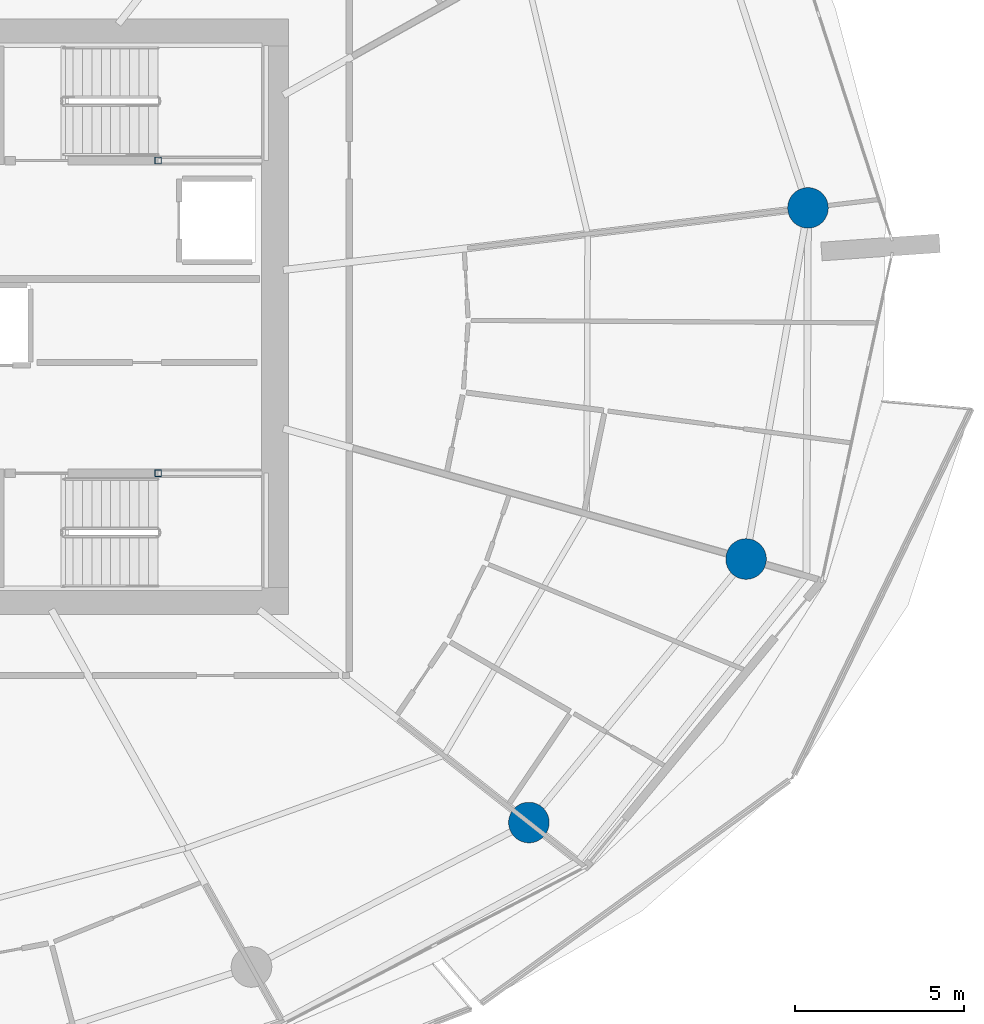
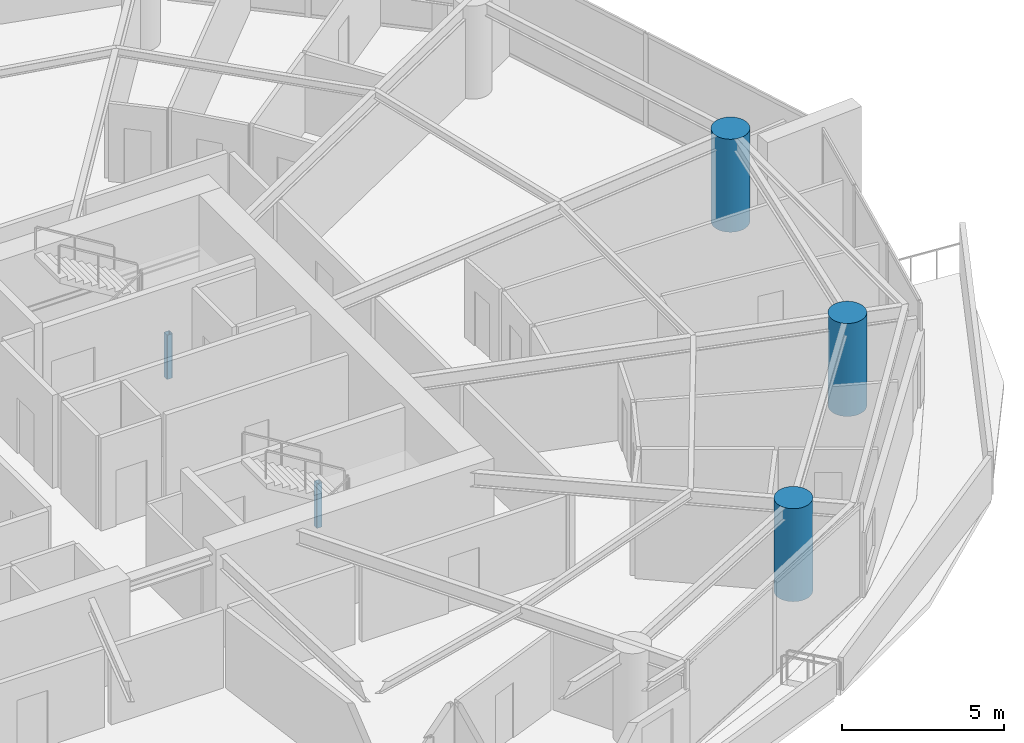
# One storey, part 3 of 23: 5 columns.
"""IFC4 building model written with IfcOpenShell, lengths in metres."""

from ifc_helpers import new_model, si_unit, direction, frame, origin, origin_2d, place, context, subcontext, project, spatial, hollow_rectangle, circle, extrude, material, material_profile, profile_set, type_object, element, save


model = new_model("IFC4")

# Units and contexts
model_context = context("Model", 3, precision=1e-05, world=origin(), true_north=direction((0.0, 1.0)))
body_context = subcontext(model_context, "Body", "Model", "MODEL_VIEW")
ifc_project = project(units=[si_unit("LENGTHUNIT", "METRE"), si_unit("AREAUNIT", "SQUARE_METRE"), si_unit("VOLUMEUNIT", "CUBIC_METRE"), si_unit("PLANEANGLEUNIT", "RADIAN"), si_unit("MASSUNIT", "GRAM", prefix="KILO")], contexts=[model_context])

# Site, building, storey
site_placement = place(None, origin())
site = spatial("IfcSite", under=ifc_project, at=site_placement, CompositionType="ELEMENT")
building_placement = place(site_placement, origin())
building = spatial("IfcBuilding", under=site, at=building_placement, Name="Kazma Halo Residences", CompositionType="ELEMENT")
storey_placement = place(building_placement, frame((0.0, 0.0, 86.39990234375)))
storey = spatial("IfcBuildingStorey", under=building, at=storey_placement, Name="L21", CompositionType="ELEMENT", Elevation=86.39990234375)

# Columns
ifc_material_1 = material(Name="Steel S355", Category="steel")
ifc_material_profile_1 = material_profile(ifc_material_1, hollow_rectangle(XDim=0.199951171875, YDim=0.199951171875, WallThickness=0.010009765625, InnerFilletRadius=0.010009765625, OuterFilletRadius=0.02001953125, at=origin_2d()), Name="SHS200x200x10")
ifc_profile_set_1 = profile_set([ifc_material_profile_1], Name="Steel S355")
column_type_1 = type_object("IfcColumnType", Name="COL-LP-SHS200", PredefinedType="COLUMN", material=ifc_profile_set_1)
for number, where, z_axis, x_axis, name in (
    (1, (56.0, 46.6201171875, 0.0), (0.0, 0.0, 1.0), (1.0, 0.0, 0.0), "L21 ST-02 landing pilaster 1"),
    (2, (56.0, 37.3798828125, 0.0), (0.0, 0.0, 1.0), (1.0, 0.0, 0.0), "L21 ST-03 landing pilaster 1"),
):
    element("IfcColumn", number, at=place(storey_placement, frame(where, z_axis=z_axis, x_axis=x_axis)), inside=storey, type_object=column_type_1, Name=name, PredefinedType="COLUMN", context=body_context, shape_type="SweptSolid", body=[
        extrude(hollow_rectangle(XDim=0.199951171875, YDim=0.199951171875, WallThickness=0.010009765625, InnerFilletRadius=0.010009765625, OuterFilletRadius=0.02001953125, at=origin_2d()), origin(), (0.0, 0.0, 1.0), 1.670166015625),
    ])
ifc_material_2 = material(Name="Concrete C80/95", Category="concrete")
ifc_material_profile_2 = material_profile(ifc_material_2, circle(Radius=0.60009765625, at=origin_2d()), Name="CIRC1200")
ifc_profile_set_2 = profile_set([ifc_material_profile_2], Name="Concrete C80/95")
column_type_2 = type_object("IfcColumnType", Name="COL-PERIM-1200", PredefinedType="COLUMN", material=ifc_profile_set_2)
for number, where, z_axis, x_axis, name in (
    (3, (66.9580078125, 27.0546875, 0.0), (0.0, 0.0, 1.0), (1.0, 0.0, 0.0), "L21 perimeter ring column P14"),
    (4, (73.376708984375, 34.843017578125, 0.0), (0.0, 0.0, 1.0), (1.0, 0.0, 0.0), "L21 perimeter ring column P15"),
    (5, (75.20654296875, 45.22021484375, 0.0), (0.0, 0.0, 1.0), (1.0, 0.0, 0.0), "L21 perimeter ring column P16"),
):
    element("IfcColumn", number, at=place(storey_placement, frame(where, z_axis=z_axis, x_axis=x_axis)), inside=storey, type_object=column_type_2, Name=name, PredefinedType="COLUMN", context=body_context, shape_type="SweptSolid", body=[
        extrude(circle(Radius=0.60009765625, at=origin_2d()), origin(), (0.0, 0.0, 1.0), 3.5),
    ])

save(model, "model.ifc")
